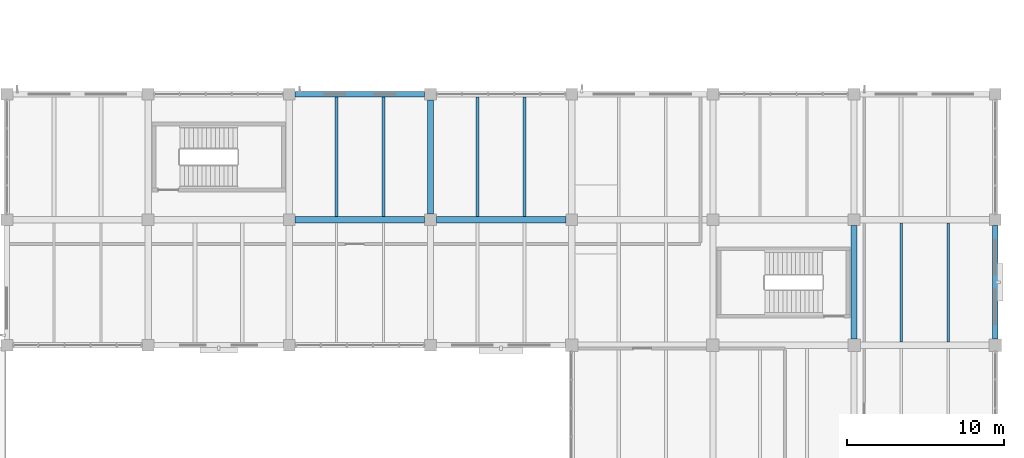
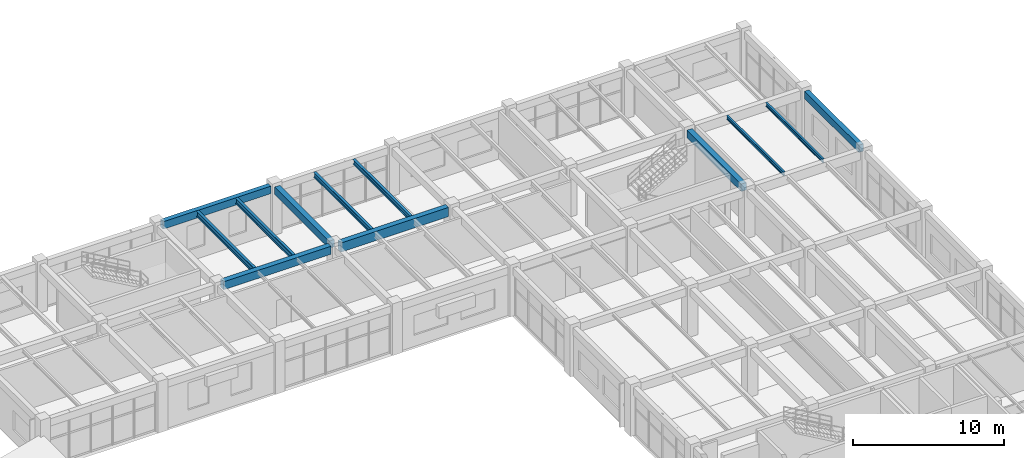
# One storey, part 109 of 148: 12 beams.
"""IFC4 building model written with IfcOpenShell, lengths in metres."""

from ifc_helpers import new_model, si_unit, derived_unit, direction, frame, origin, origin_2d, place, context, subcontext, project, spatial, rectangle, i_section, extrude, material, material_profile, profile_set, type_object, element, save


model = new_model("IFC4")

# Units and contexts
model_context = context("Model", 3, precision=1e-05, world=origin(), true_north=direction((0.0, 1.0)))
body_context = subcontext(model_context, "Body", "Model", "MODEL_VIEW")
ifc_project = project(units=[si_unit("LENGTHUNIT", "METRE"), si_unit("AREAUNIT", "SQUARE_METRE"), si_unit("VOLUMEUNIT", "CUBIC_METRE"), si_unit("PLANEANGLEUNIT", "RADIAN"), si_unit("MASSUNIT", "GRAM", prefix="KILO"), derived_unit("THERMALTRANSMITTANCEUNIT", [(si_unit("MASSUNIT", "GRAM", prefix="KILO"), 1), (si_unit("TIMEUNIT", "SECOND"), -3), (si_unit("THERMODYNAMICTEMPERATUREUNIT", "KELVIN"), -1)])], contexts=[model_context])

# Site, building, storey
site_placement = place(None, origin())
site = spatial("IfcSite", under=ifc_project, at=site_placement, CompositionType="ELEMENT")
building_placement = place(site_placement, origin())
building = spatial("IfcBuilding", under=site, at=building_placement, Name="Zhenchuan Archway Interchange", CompositionType="ELEMENT")
storey_placement = place(building_placement, frame((0.0, 0.0, 10.199951171875)))
storey = spatial("IfcBuildingStorey", under=building, at=storey_placement, Name="L02", CompositionType="ELEMENT", Elevation=10.199951171875)

# Beams
ifc_material_1 = material(Name="Concrete C40", Category="concrete")
ifc_material_profile_1 = material_profile(ifc_material_1, rectangle(XDim=0.39990234375, YDim=0.60009765625, at=origin_2d()), Name="RC 400x600")
ifc_profile_set_1 = profile_set([ifc_material_profile_1], Name="Concrete C40")
beam_type_1 = type_object("IfcBeamType", Name="BM_RC_400x600", PredefinedType="BEAM", material=ifc_profile_set_1)
beam_1_placement = place(storey_placement, frame((135.0, 96.375, 3.6201171875), z_axis=(0.0, 1.0, 0.0), x_axis=(-1.0, 0.0, 0.0)))
element("IfcBeam", 1, at=beam_1_placement, inside=storey, type_object=beam_type_1, Name="Beam 16:N-O (L02)", PredefinedType="BEAM", context=body_context, shape_type="SweptSolid", body=[
    extrude(rectangle(XDim=0.39990234375, YDim=0.60009765625, at=origin_2d()), origin(), (0.0, 0.0, 1.0), 7.25),
])
beam_2_placement = place(storey_placement, frame((162.0, 88.39990234375, 3.6201171875), z_axis=(0.0, 1.0, 0.0), x_axis=(-1.0, 0.0, 0.0)))
element("IfcBeam", 2, at=beam_2_placement, inside=storey, type_object=beam_type_1, Name="Beam 19:M-N (L02)", PredefinedType="BEAM", context=body_context, shape_type="SweptSolid", body=[
    extrude(rectangle(XDim=0.39990234375, YDim=0.60009765625, at=origin_2d()), origin(), (0.0, 0.0, 1.0), 7.22509765625),
])
ifc_material_profile_2 = material_profile(ifc_material_1, rectangle(XDim=0.39990234375, YDim=0.64990234375, at=origin_2d()), Name="RC 400x650")
ifc_profile_set_2 = profile_set([ifc_material_profile_2], Name="Concrete C40")
beam_type_2 = type_object("IfcBeamType", Name="BM_RC_400x650", PredefinedType="BEAM", material=ifc_profile_set_2)
beam_3_placement = place(storey_placement, frame((126.375, 96.0, 3.594970703125), z_axis=(1.0, 0.0, 0.0), x_axis=(0.0, 1.0, 0.0)))
element("IfcBeam", 3, at=beam_3_placement, inside=storey, type_object=beam_type_2, Name="Beam N:15-16 (L02)", PredefinedType="BEAM", context=body_context, shape_type="SweptSolid", body=[
    extrude(rectangle(XDim=0.39990234375, YDim=0.64990234375, at=origin_2d()), origin(), (0.0, 0.0, 1.0), 8.25),
])
ifc_material_profile_3 = material_profile(ifc_material_1, rectangle(XDim=0.39990234375, YDim=0.75, at=origin_2d()), Name="RC 400x750")
ifc_profile_set_3 = profile_set([ifc_material_profile_3], Name="Concrete C40")
beam_type_3 = type_object("IfcBeamType", Name="BM_RC_400x750", PredefinedType="BEAM", material=ifc_profile_set_3)
beam_4_placement = place(storey_placement, frame((135.375, 96.0, 3.545166015625), z_axis=(1.0, 0.0, 0.0), x_axis=(0.0, 1.0, 0.0)))
element("IfcBeam", 4, at=beam_4_placement, inside=storey, type_object=beam_type_3, Name="Beam N:16-17 (L02)", PredefinedType="BEAM", context=body_context, shape_type="SweptSolid", body=[
    extrude(rectangle(XDim=0.39990234375, YDim=0.75, at=origin_2d()), origin(), (0.0, 0.0, 1.0), 8.25),
])
ifc_material_2 = material(Name="Steel Q355", Category="steel")
ifc_material_profile_4 = material_profile(ifc_material_2, i_section(OverallWidth=0.14990234375, OverallDepth=0.300048828125, WebThickness=0.006591796875, FlangeThickness=0.009033203125, FilletRadius=0.012939453125, at=origin_2d()), Name="HN 300x150")
ifc_profile_set_4 = profile_set([ifc_material_profile_4], Name="Steel Q355")
beam_type_4 = type_object("IfcBeamType", Name="JST_STL_HN300", PredefinedType="JOIST", material=ifc_profile_set_4)
for number, where, z_axis, x_axis, name in (
    (5, (165.0, 88.199951171875, 3.77001953125), (0.0, 1.0, 0.0), (-1.0, 0.0, 0.0), "Secondary joist 19-20/M-N #1 (L02)"),
    (6, (168.0, 88.199951171875, 3.77001953125), (0.0, 1.0, 0.0), (-1.0, 0.0, 0.0), "Secondary joist 19-20/M-N #2 (L02)"),
):
    element("IfcBeam", number, at=place(storey_placement, frame(where, z_axis=z_axis, x_axis=x_axis)), inside=storey, type_object=beam_type_4, Name=name, PredefinedType="JOIST", context=body_context, shape_type="SweptSolid", body=[
        extrude(i_section(OverallWidth=0.14990234375, OverallDepth=0.300048828125, WebThickness=0.006591796875, FlangeThickness=0.009033203125, FilletRadius=0.012939453125, at=origin_2d()), origin(), (0.0, 0.0, 1.0), 7.60009765625),
    ])
ifc_material_profile_5 = material_profile(ifc_material_2, i_section(OverallWidth=0.199951171875, OverallDepth=0.39990234375, WebThickness=0.008056640625, FlangeThickness=0.012939453125, FilletRadius=0.01611328125, at=origin_2d()), Name="HN 400x200")
ifc_profile_set_5 = profile_set([ifc_material_profile_5], Name="Steel Q355")
beam_type_5 = type_object("IfcBeamType", Name="JST_STL_HN400", PredefinedType="JOIST", material=ifc_profile_set_5)
for number, where, z_axis, x_axis, name in (
    (7, (138.0, 96.199951171875, 3.719970703125), (0.0, 1.0, 0.0), (-1.0, 0.0, 0.0), "Secondary joist 16-17/N-O #1 (L02)"),
    (8, (141.0, 96.199951171875, 3.719970703125), (0.0, 1.0, 0.0), (-1.0, 0.0, 0.0), "Secondary joist 16-17/N-O #2 (L02)"),
):
    element("IfcBeam", number, at=place(storey_placement, frame(where, z_axis=z_axis, x_axis=x_axis)), inside=storey, type_object=beam_type_5, Name=name, PredefinedType="JOIST", context=body_context, shape_type="SweptSolid", body=[
        extrude(i_section(OverallWidth=0.199951171875, OverallDepth=0.39990234375, WebThickness=0.008056640625, FlangeThickness=0.012939453125, FilletRadius=0.01611328125, at=origin_2d()), origin(), (0.0, 0.0, 1.0), 7.625),
    ])
ifc_material_profile_6 = material_profile(ifc_material_2, i_section(OverallWidth=0.199951171875, OverallDepth=0.449951171875, WebThickness=0.009033203125, FlangeThickness=0.013916015625, FilletRadius=0.01806640625, at=origin_2d()), Name="HN 450x200")
ifc_profile_set_6 = profile_set([ifc_material_profile_6], Name="Steel Q355")
beam_type_6 = type_object("IfcBeamType", Name="JST_STL_HN450", PredefinedType="JOIST", material=ifc_profile_set_6)
for number, where, z_axis, x_axis, name in (
    (9, (129.0, 96.199951171875, 3.695068359375), (0.0, 1.0, 0.0), (-1.0, 0.0, 0.0), "Secondary joist 15-16/N-O #1 (L02)"),
    (10, (132.0, 96.199951171875, 3.695068359375), (0.0, 1.0, 0.0), (-1.0, 0.0, 0.0), "Secondary joist 15-16/N-O #2 (L02)"),
):
    element("IfcBeam", number, at=place(storey_placement, frame(where, z_axis=z_axis, x_axis=x_axis)), inside=storey, type_object=beam_type_6, Name=name, PredefinedType="JOIST", context=body_context, shape_type="SweptSolid", body=[
        extrude(i_section(OverallWidth=0.199951171875, OverallDepth=0.449951171875, WebThickness=0.009033203125, FlangeThickness=0.013916015625, FilletRadius=0.01806640625, at=origin_2d()), origin(), (0.0, 0.0, 1.0), 7.625),
    ])
ifc_material_profile_7 = material_profile(ifc_material_1, rectangle(XDim=0.35009765625, YDim=0.60009765625, at=origin_2d()), Name="RC 350x600")
ifc_profile_set_7 = profile_set([ifc_material_profile_7], Name="Concrete C40")
beam_type_7 = type_object("IfcBeamType", Name="SP_RC_350x600", PredefinedType="SPANDREL", material=ifc_profile_set_7)
beam_5_placement = place(storey_placement, frame((126.375, 104.0, 3.6201171875), z_axis=(1.0, 0.0, 0.0), x_axis=(0.0, 1.0, 0.0)))
element("IfcBeam", 11, at=beam_5_placement, inside=storey, type_object=beam_type_7, Name="Beam O:15-16 (L02)", PredefinedType="SPANDREL", context=body_context, shape_type="SweptSolid", body=[
    extrude(rectangle(XDim=0.35009765625, YDim=0.60009765625, at=origin_2d()), origin(), (0.0, 0.0, 1.0), 8.25),
])
beam_6_placement = place(storey_placement, frame((171.0, 88.39990234375, 3.6201171875), z_axis=(0.0, 1.0, 0.0), x_axis=(-1.0, 0.0, 0.0)))
element("IfcBeam", 12, at=beam_6_placement, inside=storey, type_object=beam_type_7, Name="Beam 20:M-N (L02)", PredefinedType="SPANDREL", context=body_context, shape_type="SweptSolid", body=[
    extrude(rectangle(XDim=0.35009765625, YDim=0.60009765625, at=origin_2d()), origin(), (0.0, 0.0, 1.0), 7.22509765625),
])

save(model, "model.ifc")
